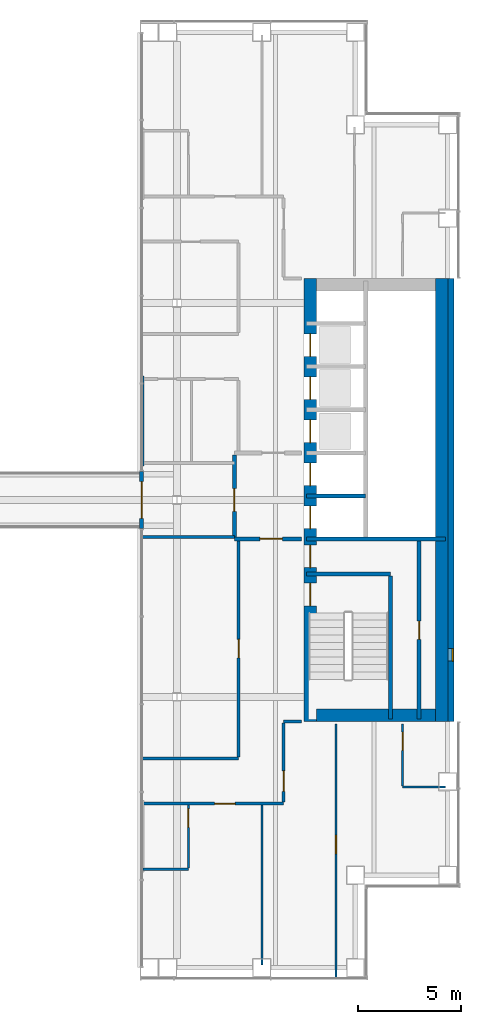
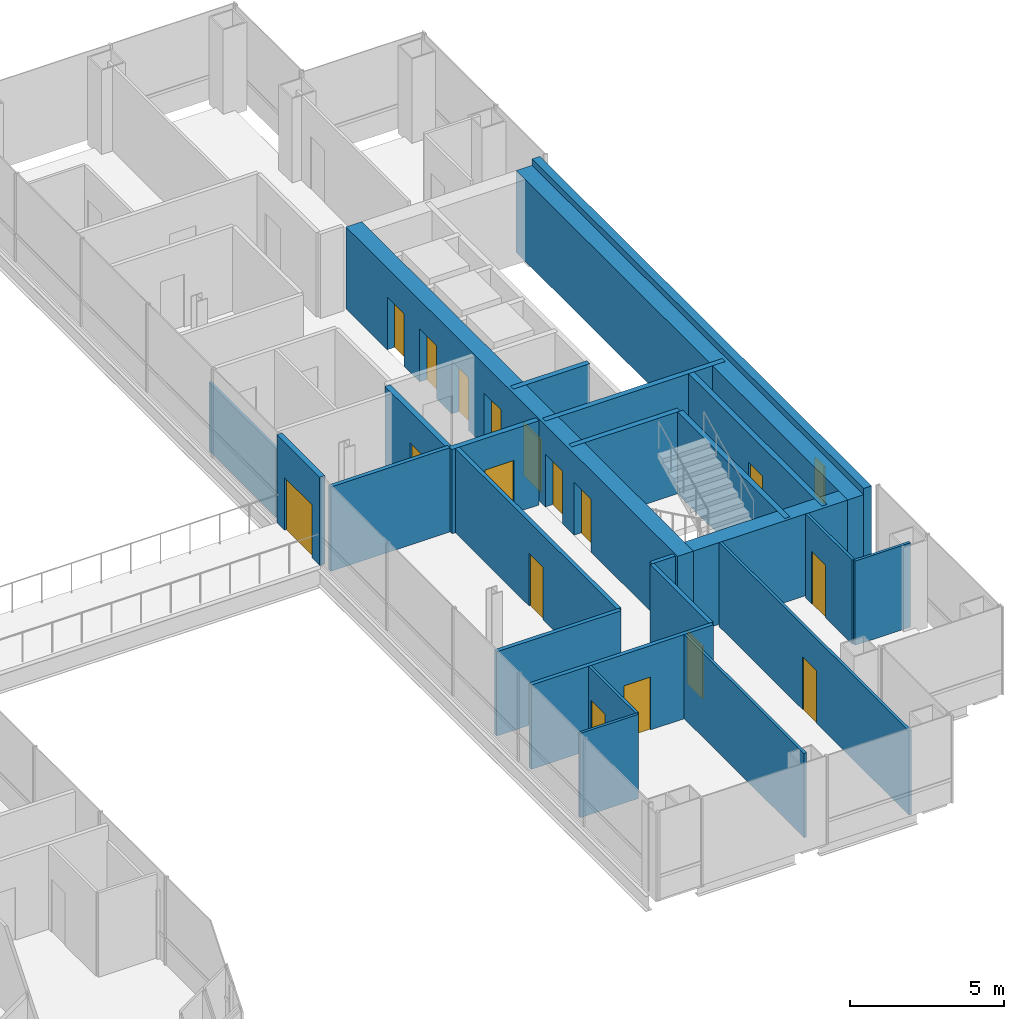
# One storey, part 12 of 16: 25 walls, 17 doors, 1 window, 18 openings.
"""IFC4 building model written with IfcOpenShell, lengths in metres."""

from ifc_helpers import new_model, si_unit, direction, frame, frame_2d, origin, place, context, subcontext, project, spatial, rectangle, extrude, material, layer, layer_set, type_object, element, fill, save


model = new_model("IFC4")

# Units and contexts
model_context = context("Model", 3, precision=1e-05, world=origin(), true_north=direction((0.0, 1.0)))
body_context = subcontext(model_context, "Body", "Model", "MODEL_VIEW")
ifc_project = project(units=[si_unit("LENGTHUNIT", "METRE"), si_unit("AREAUNIT", "SQUARE_METRE"), si_unit("VOLUMEUNIT", "CUBIC_METRE"), si_unit("PLANEANGLEUNIT", "RADIAN"), si_unit("MASSUNIT", "GRAM", prefix="KILO")], contexts=[model_context])

# Site, building, storey
site_placement = place(None, origin())
site = spatial("IfcSite", under=ifc_project, at=site_placement, CompositionType="ELEMENT")
building_placement = place(site_placement, origin())
building = spatial("IfcBuilding", under=site, at=building_placement, Name="Cobrizo Arcos Hotel Tower", CompositionType="ELEMENT")
storey_placement = place(building_placement, frame((0.0, 0.0, 127.5)))
storey = spatial("IfcBuildingStorey", under=building, at=storey_placement, Name="L32", CompositionType="ELEMENT", Elevation=127.5)

# Wall, opening, door
ifc_material_1 = material(Name="Gypsum board partition")
ifc_layer_1 = layer(ifc_material_1, 0.14990234375)
ifc_layer_set_1 = layer_set([ifc_layer_1], Name="Corridor wall EI 60 150")
wall_type_1 = type_object("IfcWallType", Name="Corridor wall EI 60 150", PredefinedType="PARTITIONING", material=ifc_layer_set_1)
wall_1_placement = place(storey_placement, frame((7.949951171875, -14.800048828125, 0.0), z_axis=(0.0, 0.0, 1.0), x_axis=(1.0, 0.0, 0.0)))
wall_1 = element("IfcWall", 1, at=wall_1_placement, inside=storey, type_object=wall_type_1, Name="Partition 006", PredefinedType="PARTITIONING", context=body_context, shape_type="SweptSolid", body=[
    extrude(rectangle(XDim=6.85009765625, YDim=0.14990234375, at=frame_2d((3.425048828125, 0.0))), origin(), (0.0, 0.0, 1.0), 3.35009765625),
])
opening_1_placement = place(wall_1_placement, frame((3.487060546875, 0.0, 0.0)))
opening_1 = element("IfcOpeningElement", 2, at=opening_1_placement, cuts=wall_1, Name="Opening GD-03", PredefinedType="OPENING", context=body_context, shape_type="SweptSolid", body=[
    extrude(rectangle(XDim=1.0, YDim=2.10009765625, at=frame_2d((0.5, 1.050048828125))), frame((0.0, 0.0869140625, 0.0), z_axis=(0.0, -1.0, 0.0), x_axis=(1.0, 0.0, 0.0)), (0.0, 0.0, 1.0), 0.173828125),
])
ifc_material_2 = material(Name="Timber door leaf", Category="wood")
door_type_1 = type_object("IfcDoorType", Name="Guest room door FD30S 1000x2100", OperationType="SINGLE_SWING_LEFT", PredefinedType="DOOR", material=ifc_material_2)
door_1_placement = place(opening_1_placement, origin())
door_1 = element("IfcDoor", 3, at=door_1_placement, inside=storey, type_object=door_type_1, Name="Door GD-03", OperationType="SINGLE_SWING_RIGHT", OverallHeight=2.10009765625, OverallWidth=1.0, PredefinedType="DOOR", context=body_context, shape_type="SweptSolid", body=[
    extrude(rectangle(XDim=1.0, YDim=2.10009765625, at=frame_2d((0.5, 1.050048828125))), frame((0.0, 0.02490234375, 0.0), z_axis=(0.0, -1.0, 0.0), x_axis=(1.0, 0.0, 0.0)), (0.0, 0.0, 1.0), 0.050048828125),
])
fill(opening_1, door_1)

# Walls
wall_2_placement = place(storey_placement, frame((7.919921875, -12.60009765625, 0.0), z_axis=(0.0, 0.0, 1.0), x_axis=(1.0, 0.0, 0.0)))
element("IfcWall", 4, at=wall_2_placement, inside=storey, type_object=wall_type_1, Name="Partition 009", PredefinedType="PARTITIONING", context=body_context, shape_type="SweptSolid", body=[
    extrude(rectangle(XDim=4.68017578125, YDim=0.14990234375, at=frame_2d((2.340087890625, 0.0))), origin(), (0.0, 0.0, 1.0), 3.35009765625),
])
wall_3_placement = place(storey_placement, frame((14.800048828125, -10.800048828125, 0.0), z_axis=(0.0, 0.0, 1.0), x_axis=(1.0, 0.0, 0.0)))
element("IfcWall", 5, at=wall_3_placement, inside=storey, type_object=wall_type_1, Name="Partition 011", PredefinedType="PARTITIONING", context=body_context, shape_type="SweptSolid", body=[
    extrude(rectangle(XDim=0.8798828125, YDim=0.14990234375, at=frame_2d((0.43994140625, 0.0))), origin(), (0.0, 0.0, 1.0), 3.35009765625),
])
wall_4_placement = place(storey_placement, frame((7.919921875, -1.800048828125, 0.0), z_axis=(0.0, 0.0, 1.0), x_axis=(1.0, 0.0, 0.0)))
element("IfcWall", 6, at=wall_4_placement, inside=storey, type_object=wall_type_1, Name="Partition 019", PredefinedType="PARTITIONING", context=body_context, shape_type="SweptSolid", body=[
    extrude(rectangle(XDim=4.47998046875, YDim=0.14990234375, at=frame_2d((2.239990234375, 0.0))), origin(), (0.0, 0.0, 1.0), 3.35009765625),
])

# Wall, opening, door
wall_5_placement = place(storey_placement, frame((12.60009765625, -12.52490234375, 0.0), z_axis=(0.0, 0.0, 1.0), x_axis=(0.0, 1.0, 0.0)))
wall_5 = element("IfcWall", 7, at=wall_5_placement, inside=storey, type_object=wall_type_1, Name="Partition 073", PredefinedType="PARTITIONING", context=body_context, shape_type="SweptSolid", body=[
    extrude(rectangle(XDim=10.52490234375, YDim=0.14990234375, at=frame_2d((5.262451171875, 0.0))), origin(), (0.0, 0.0, 1.0), 3.35009765625),
])
opening_2_placement = place(wall_5_placement, frame((4.824951171875, 0.0, 0.0)))
opening_2 = element("IfcOpeningElement", 8, at=opening_2_placement, cuts=wall_5, Name="Opening RD-10", PredefinedType="OPENING", context=body_context, shape_type="SweptSolid", body=[
    extrude(rectangle(XDim=0.89990234375, YDim=2.10009765625, at=frame_2d((0.449951171875, 1.050048828125))), frame((0.0, 0.0869140625, 0.0), z_axis=(0.0, -1.0, 0.0), x_axis=(1.0, 0.0, 0.0)), (0.0, 0.0, 1.0), 0.173828125),
])
door_type_2 = type_object("IfcDoorType", Name="Room door FD30 900x2100", OperationType="SINGLE_SWING_LEFT", PredefinedType="DOOR", material=ifc_material_2)
door_2_placement = place(opening_2_placement, origin())
door_2 = element("IfcDoor", 9, at=door_2_placement, inside=storey, type_object=door_type_2, Name="Door RD-10", OperationType="SINGLE_SWING_RIGHT", OverallHeight=2.10009765625, OverallWidth=0.89990234375, PredefinedType="DOOR", context=body_context, shape_type="SweptSolid", body=[
    extrude(rectangle(XDim=0.89990234375, YDim=2.10009765625, at=frame_2d((0.449951171875, 1.050048828125))), frame((0.0, 0.02490234375, 0.0), z_axis=(0.0, -1.0, 0.0), x_axis=(1.0, 0.0, 0.0)), (0.0, 0.0, 1.0), 0.050048828125),
])
fill(opening_2, door_2)

wall_6_placement = place(storey_placement, frame((14.800048828125, -14.72509765625, 0.0), z_axis=(0.0, 0.0, 1.0), x_axis=(0.0, 1.0, 0.0)))
wall_6 = element("IfcWall", 10, at=wall_6_placement, inside=storey, type_object=wall_type_1, Name="Partition 078", PredefinedType="PARTITIONING", context=body_context, shape_type="SweptSolid", body=[
    extrude(rectangle(XDim=3.85009765625, YDim=0.14990234375, at=frame_2d((1.925048828125, 0.0))), origin(), (0.0, 0.0, 1.0), 3.35009765625),
])
opening_3_placement = place(wall_6_placement, frame((0.52490234375, 0.0, 0.0)))
opening_3 = element("IfcOpeningElement", 11, at=opening_3_placement, cuts=wall_6, Name="Opening GD-07", PredefinedType="OPENING", context=body_context, shape_type="SweptSolid", body=[
    extrude(rectangle(XDim=1.0, YDim=2.10009765625, at=frame_2d((0.5, 1.050048828125))), frame((0.0, 0.0869140625, 0.0), z_axis=(0.0, -1.0, 0.0), x_axis=(1.0, 0.0, 0.0)), (0.0, 0.0, 1.0), 0.173828125),
])
door_3_placement = place(opening_3_placement, origin())
door_3 = element("IfcDoor", 12, at=door_3_placement, inside=storey, type_object=door_type_1, Name="Door GD-07", OperationType="SINGLE_SWING_LEFT", OverallHeight=2.10009765625, OverallWidth=1.0, PredefinedType="DOOR", context=body_context, shape_type="SweptSolid", body=[
    extrude(rectangle(XDim=1.0, YDim=2.10009765625, at=frame_2d((0.5, 1.050048828125))), frame((0.0, 0.02490234375, 0.0), z_axis=(0.0, -1.0, 0.0), x_axis=(1.0, 0.0, 0.0)), (0.0, 0.0, 1.0), 0.050048828125),
])
fill(opening_3, door_3)

# Wall, opening, window
ifc_material_3 = material(Name="Aluminium composite panel pale metal", Category="aluminium")
ifc_layer_2 = layer(ifc_material_3, 0.300048828125)
ifc_layer_set_2 = layer_set([ifc_layer_2], Name="EW-1 insulated panel wall 300")
wall_type_2 = type_object("IfcWallType", Name="EW-1 insulated panel wall 300", PredefinedType="SOLIDWALL", material=ifc_layer_set_2)
wall_7_placement = place(storey_placement, frame((22.949951171875, -10.800048828125, 0.0), z_axis=(0.0, 0.0, 1.0), x_axis=(0.0, 1.0, 0.0)))
wall_7 = element("IfcWall", 13, at=wall_7_placement, inside=storey, type_object=wall_type_2, Name="Core face wall L32 E", PredefinedType="SOLIDWALL", context=body_context, shape_type="SweptSolid", body=[
    extrude(rectangle(XDim=21.60009765625, YDim=0.300048828125, at=frame_2d((10.800048828125, 0.0))), origin(), (0.0, 0.0, 1.0), 3.5),
])
opening_4_placement = place(wall_7_placement, frame((2.949951171875, 0.0, 1.0)))
opening_4 = element("IfcOpeningElement", 14, at=opening_4_placement, cuts=wall_7, Name="Opening W-65", PredefinedType="OPENING", context=body_context, shape_type="SweptSolid", body=[
    extrude(rectangle(XDim=0.60009765625, YDim=1.5, at=frame_2d((0.300048828125, 0.75))), frame((0.0, 0.162109375, 0.0), z_axis=(0.0, -1.0, 0.0), x_axis=(1.0, 0.0, 0.0)), (0.0, 0.0, 1.0), 0.323974609375),
])
ifc_material_4 = material(Name="Aluminium 6063-T6 and clear laminated glass", Category="aluminium")
window_type = type_object("IfcWindowType", Name="W-C1 core stair slot window 600x1500", PartitioningType="SINGLE_PANEL", PredefinedType="WINDOW", material=ifc_material_4)
window_placement = place(opening_4_placement, origin())
window = element("IfcWindow", 15, at=window_placement, inside=storey, type_object=window_type, Name="Core face wall L32 E window W-65", OverallHeight=1.5, OverallWidth=0.60009765625, PartitioningType="SINGLE_PANEL", PredefinedType="WINDOW", context=body_context, shape_type="SweptSolid", body=[
    extrude(rectangle(XDim=0.60009765625, YDim=1.5, at=frame_2d((0.300048828125, 0.75))), frame((0.0, -0.06005859375, 0.0), z_axis=(0.0, -1.0, 0.0), x_axis=(1.0, 0.0, 0.0)), (0.0, 0.0, 1.0), 0.06005859375),
])
fill(opening_4, window)

# Wall, opening, door
ifc_material_5 = material(Name="Aluminium 6063-T6 anodised pale", Category="aluminium")
ifc_layer_3 = layer(ifc_material_5, 0.199951171875)
ifc_layer_set_3 = layer_set([ifc_layer_3], Name="EW-4 sky bridge door frame wall")
wall_type_3 = type_object("IfcWallType", Name="EW-4 sky bridge door frame wall", PredefinedType="SOLIDWALL", material=ifc_layer_set_3)
wall_8_placement = place(storey_placement, frame((7.875, -1.39990234375, 0.0), z_axis=(0.0, 0.0, 1.0), x_axis=(0.0, 1.0, 0.0)))
wall_8 = element("IfcWall", 16, at=wall_8_placement, inside=storey, type_object=wall_type_3, Name="Sky bridge door wall B E", PredefinedType="SOLIDWALL", context=body_context, shape_type="SweptSolid", body=[
    extrude(rectangle(XDim=2.7998046875, YDim=0.199951171875, at=frame_2d((1.39990234375, 0.0))), origin(), (0.0, 0.0, 1.0), 3.5),
])
opening_5_placement = place(wall_8_placement, frame((0.5, 0.0, 0.0)))
opening_5 = element("IfcOpeningElement", 17, at=opening_5_placement, cuts=wall_8, Name="Opening E-50", PredefinedType="OPENING", context=body_context, shape_type="SweptSolid", body=[
    extrude(rectangle(XDim=1.800048828125, YDim=2.10009765625, at=frame_2d((0.89990234375, 1.050048828125))), frame((0.0, 0.112060546875, 0.0), z_axis=(0.0, -1.0, 0.0), x_axis=(1.0, 0.0, 0.0)), (0.0, 0.0, 1.0), 0.223876953125),
])
door_type_3 = type_object("IfcDoorType", Name="D-B1 sky bridge double door 1800x2100", OperationType="DOUBLE_DOOR_DOUBLE_SWING", PredefinedType="DOOR", material=ifc_material_4)
door_4_placement = place(opening_5_placement, origin())
door_4 = element("IfcDoor", 18, at=door_4_placement, inside=storey, type_object=door_type_3, Name="Sky bridge door wall B E door E-50", OperationType="DOUBLE_DOOR_DOUBLE_SWING", OverallHeight=2.10009765625, OverallWidth=1.800048828125, PredefinedType="DOOR", context=body_context, shape_type="SweptSolid", body=[
    extrude(rectangle(XDim=1.800048828125, YDim=2.10009765625, at=frame_2d((0.89990234375, 1.050048828125))), frame((0.0, 0.02490234375, 0.0), z_axis=(0.0, -1.0, 0.0), x_axis=(1.0, 0.0, 0.0)), (0.0, 0.0, 1.0), 0.050048828125),
])
fill(opening_5, door_4)

# Walls
ifc_layer_4 = layer(ifc_material_1, 0.10009765625)
ifc_layer_set_4 = layer_set([ifc_layer_4], Name="Partition EI 30 100")
wall_type_4 = type_object("IfcWallType", Name="Partition EI 30 100", PredefinedType="PARTITIONING", material=ifc_layer_set_4)
wall_9_placement = place(storey_placement, frame((7.949951171875, -18.0, 0.0), z_axis=(0.0, 0.0, 1.0), x_axis=(1.0, 0.0, 0.0)))
element("IfcWall", 19, at=wall_9_placement, inside=storey, type_object=wall_type_4, Name="Partition 003", PredefinedType="PARTITIONING", context=body_context, shape_type="SweptSolid", body=[
    extrude(rectangle(XDim=2.199951171875, YDim=0.10009765625, at=frame_2d((1.10009765625, 0.0))), origin(), (0.0, 0.0, 1.0), 3.35009765625),
])
wall_10_placement = place(storey_placement, frame((20.60009765625, -14.0, 0.0), z_axis=(0.0, 0.0, 1.0), x_axis=(1.0, 0.0, 0.0)))
element("IfcWall", 20, at=wall_10_placement, inside=storey, type_object=wall_type_4, Name="Partition 007", PredefinedType="PARTITIONING", context=body_context, shape_type="SweptSolid", body=[
    extrude(rectangle(XDim=2.079833984375, YDim=0.10009765625, at=frame_2d((1.0400390625, 0.0))), origin(), (0.0, 0.0, 1.0), 3.35009765625),
])
wall_11_placement = place(storey_placement, frame((7.949951171875, 1.659912109375, 0.0), z_axis=(0.0, 0.0, 1.0), x_axis=(0.0, 1.0, 0.0)))
element("IfcWall", 21, at=wall_11_placement, inside=storey, type_object=wall_type_4, Name="Partition 067", PredefinedType="PARTITIONING", context=body_context, shape_type="SweptSolid", body=[
    extrude(rectangle(XDim=4.380126953125, YDim=0.10009765625, at=frame_2d((2.18994140625, 0.0))), origin(), (0.0, 0.0, 1.0), 2.73291015625),
])

# Wall, opening, door
wall_12_placement = place(storey_placement, frame((10.14990234375, -17.949951171875, 0.0), z_axis=(0.0, 0.0, 1.0), x_axis=(0.0, 1.0, 0.0)))
wall_12 = element("IfcWall", 22, at=wall_12_placement, inside=storey, type_object=wall_type_4, Name="Partition 069", PredefinedType="PARTITIONING", context=body_context, shape_type="SweptSolid", body=[
    extrude(rectangle(XDim=3.074951171875, YDim=0.10009765625, at=frame_2d((1.53759765625, 0.0))), origin(), (0.0, 0.0, 1.0), 3.35009765625),
])
opening_6_placement = place(wall_12_placement, frame((1.99609375, 0.0, 0.0)))
opening_6 = element("IfcOpeningElement", 23, at=opening_6_placement, cuts=wall_12, Name="Opening ED-04", PredefinedType="OPENING", context=body_context, shape_type="SweptSolid", body=[
    extrude(rectangle(XDim=0.89990234375, YDim=2.10009765625, at=frame_2d((0.449951171875, 1.050048828125))), frame((0.0, 0.06201171875, 0.0), z_axis=(0.0, -1.0, 0.0), x_axis=(1.0, 0.0, 0.0)), (0.0, 0.0, 1.0), 0.1240234375),
])
door_type_4 = type_object("IfcDoorType", Name="En-suite door 900x2100", OperationType="SINGLE_SWING_LEFT", PredefinedType="DOOR", material=ifc_material_2)
door_5_placement = place(opening_6_placement, origin())
door_5 = element("IfcDoor", 24, at=door_5_placement, inside=storey, type_object=door_type_4, Name="Door ED-04", OperationType="SINGLE_SWING_RIGHT", OverallHeight=2.10009765625, OverallWidth=0.89990234375, PredefinedType="DOOR", context=body_context, shape_type="SweptSolid", body=[
    extrude(rectangle(XDim=0.89990234375, YDim=2.10009765625, at=frame_2d((0.449951171875, 1.050048828125))), frame((0.0, 0.02490234375, 0.0), z_axis=(0.0, -1.0, 0.0), x_axis=(1.0, 0.0, 0.0)), (0.0, 0.0, 1.0), 0.050048828125),
])
fill(opening_6, door_5)

# Wall
wall_13_placement = place(storey_placement, frame((13.75, -22.679931640625, 0.0), z_axis=(0.0, 0.0, 1.0), x_axis=(0.0, 1.0, 0.0)))
element("IfcWall", 25, at=wall_13_placement, inside=storey, type_object=wall_type_4, Name="Partition 076", PredefinedType="PARTITIONING", context=body_context, shape_type="SweptSolid", body=[
    extrude(rectangle(XDim=7.804931640625, YDim=0.10009765625, at=frame_2d((3.90234375, 0.0))), origin(), (0.0, 0.0, 1.0), 3.35009765625),
])

# Wall, opening, door
wall_14_placement = place(storey_placement, frame((17.35009765625, -23.280029296875, 0.0), z_axis=(0.0, 0.0, 1.0), x_axis=(0.0, 1.0, 0.0)))
wall_14 = element("IfcWall", 26, at=wall_14_placement, inside=storey, type_object=wall_type_4, Name="Partition 080", PredefinedType="PARTITIONING", context=body_context, shape_type="SweptSolid", body=[
    extrude(rectangle(XDim=12.360107421875, YDim=0.10009765625, at=frame_2d((6.18017578125, 0.0))), origin(), (0.0, 0.0, 1.0), 3.35009765625),
])
opening_7_placement = place(wall_14_placement, frame((6.030029296875, 0.0, 0.0)))
opening_7 = element("IfcOpeningElement", 27, at=opening_7_placement, cuts=wall_14, Name="Opening RD-04", PredefinedType="OPENING", context=body_context, shape_type="SweptSolid", body=[
    extrude(rectangle(XDim=0.89990234375, YDim=2.10009765625, at=frame_2d((0.449951171875, 1.050048828125))), frame((0.0, 0.06201171875, 0.0), z_axis=(0.0, -1.0, 0.0), x_axis=(1.0, 0.0, 0.0)), (0.0, 0.0, 1.0), 0.1240234375),
])
door_6_placement = place(opening_7_placement, origin())
door_6 = element("IfcDoor", 28, at=door_6_placement, inside=storey, type_object=door_type_2, Name="Door RD-04", OperationType="SINGLE_SWING_RIGHT", OverallHeight=2.10009765625, OverallWidth=0.89990234375, PredefinedType="DOOR", context=body_context, shape_type="SweptSolid", body=[
    extrude(rectangle(XDim=0.89990234375, YDim=2.10009765625, at=frame_2d((0.449951171875, 1.050048828125))), frame((0.0, 0.02490234375, 0.0), z_axis=(0.0, -1.0, 0.0), x_axis=(1.0, 0.0, 0.0)), (0.0, 0.0, 1.0), 0.050048828125),
])
fill(opening_7, door_6)

wall_15_placement = place(storey_placement, frame((20.60009765625, -13.949951171875, 0.0), z_axis=(0.0, 0.0, 1.0), x_axis=(0.0, 1.0, 0.0)))
wall_15 = element("IfcWall", 29, at=wall_15_placement, inside=storey, type_object=wall_type_4, Name="Partition 084", PredefinedType="PARTITIONING", context=body_context, shape_type="SweptSolid", body=[
    extrude(rectangle(XDim=3.030029296875, YDim=0.10009765625, at=frame_2d((1.51513671875, 0.0))), origin(), (0.0, 0.0, 1.0), 3.35009765625),
])
opening_8_placement = place(wall_15_placement, frame((1.739990234375, 0.0, 0.0)))
opening_8 = element("IfcOpeningElement", 30, at=opening_8_placement, cuts=wall_15, Name="Opening ED-08", PredefinedType="OPENING", context=body_context, shape_type="SweptSolid", body=[
    extrude(rectangle(XDim=0.89990234375, YDim=2.10009765625, at=frame_2d((0.449951171875, 1.050048828125))), frame((0.0, 0.06201171875, 0.0), z_axis=(0.0, -1.0, 0.0), x_axis=(1.0, 0.0, 0.0)), (0.0, 0.0, 1.0), 0.1240234375),
])
door_7_placement = place(opening_8_placement, origin())
door_7 = element("IfcDoor", 31, at=door_7_placement, inside=storey, type_object=door_type_4, Name="Door ED-08", OperationType="SINGLE_SWING_LEFT", OverallHeight=2.10009765625, OverallWidth=0.89990234375, PredefinedType="DOOR", context=body_context, shape_type="SweptSolid", body=[
    extrude(rectangle(XDim=0.89990234375, YDim=2.10009765625, at=frame_2d((0.449951171875, 1.050048828125))), frame((0.0, 0.02490234375, 0.0), z_axis=(0.0, -1.0, 0.0), x_axis=(1.0, 0.0, 0.0)), (0.0, 0.0, 1.0), 0.050048828125),
])
fill(opening_8, door_7)

# Wall, openings, doors
ifc_material_6 = material(Name="Concrete f'c 50 MPa", Category="concrete")
ifc_layer_5 = layer(ifc_material_6, 0.60009765625)
ifc_layer_set_5 = layer_set([ifc_layer_5], Name="RC core wall 600 f'c 50")
wall_type_5 = type_object("IfcWallType", Name="RC core wall 600 f'c 50", PredefinedType="SHEAR", material=ifc_layer_set_5)
wall_16_placement = place(storey_placement, frame((16.10009765625, -10.800048828125, 0.0), z_axis=(0.0, 0.0, 1.0), x_axis=(0.0, 1.0, 0.0)))
wall_16 = element("IfcWall", 32, at=wall_16_placement, inside=storey, type_object=wall_type_5, Name="Core wall CW2, east core, inner face, L32", PredefinedType="SHEAR", context=body_context, shape_type="SweptSolid", body=[
    extrude(rectangle(XDim=21.60009765625, YDim=0.60009765625, at=frame_2d((10.800048828125, 0.0))), origin(), (0.0, 0.0, 1.0), 3.25),
])
opening_9_placement = place(wall_16_placement, frame((9.39990234375, 0.0, 0.0)))
opening_9 = element("IfcOpeningElement", 33, at=opening_9_placement, cuts=wall_16, Name="Opening LD-06", PredefinedType="OPENING", context=body_context, shape_type="SweptSolid", body=[
    extrude(rectangle(XDim=1.10009765625, YDim=2.10009765625, at=frame_2d((0.550048828125, 1.050048828125))), frame((0.0, 0.31201171875, 0.0), z_axis=(0.0, -1.0, 0.0), x_axis=(1.0, 0.0, 0.0)), (0.0, 0.0, 1.0), 0.6240234375),
])
opening_10_placement = place(wall_16_placement, frame((11.5, 0.0, 0.0)))
opening_10 = element("IfcOpeningElement", 34, at=opening_10_placement, cuts=wall_16, Name="Opening LD-07", PredefinedType="OPENING", context=body_context, shape_type="SweptSolid", body=[
    extrude(rectangle(XDim=1.10009765625, YDim=2.10009765625, at=frame_2d((0.550048828125, 1.050048828125))), frame((0.0, 0.31201171875, 0.0), z_axis=(0.0, -1.0, 0.0), x_axis=(1.0, 0.0, 0.0)), (0.0, 0.0, 1.0), 0.6240234375),
])
opening_11_placement = place(wall_16_placement, frame((13.60009765625, 0.0, 0.0)))
opening_11 = element("IfcOpeningElement", 35, at=opening_11_placement, cuts=wall_16, Name="Opening LD-08", PredefinedType="OPENING", context=body_context, shape_type="SweptSolid", body=[
    extrude(rectangle(XDim=1.10009765625, YDim=2.10009765625, at=frame_2d((0.550048828125, 1.050048828125))), frame((0.0, 0.31201171875, 0.0), z_axis=(0.0, -1.0, 0.0), x_axis=(1.0, 0.0, 0.0)), (0.0, 0.0, 1.0), 0.6240234375),
])
opening_12_placement = place(wall_16_placement, frame((15.699951171875, 0.0, 0.0)))
opening_12 = element("IfcOpeningElement", 36, at=opening_12_placement, cuts=wall_16, Name="Opening LD-09", PredefinedType="OPENING", context=body_context, shape_type="SweptSolid", body=[
    extrude(rectangle(XDim=1.10009765625, YDim=2.10009765625, at=frame_2d((0.550048828125, 1.050048828125))), frame((0.0, 0.31201171875, 0.0), z_axis=(0.0, -1.0, 0.0), x_axis=(1.0, 0.0, 0.0)), (0.0, 0.0, 1.0), 0.6240234375),
])
opening_13_placement = place(wall_16_placement, frame((17.800048828125, 0.0, 0.0)))
opening_13 = element("IfcOpeningElement", 37, at=opening_13_placement, cuts=wall_16, Name="Opening LD-10", PredefinedType="OPENING", context=body_context, shape_type="SweptSolid", body=[
    extrude(rectangle(XDim=1.10009765625, YDim=2.10009765625, at=frame_2d((0.550048828125, 1.050048828125))), frame((0.0, 0.31201171875, 0.0), z_axis=(0.0, -1.0, 0.0), x_axis=(1.0, 0.0, 0.0)), (0.0, 0.0, 1.0), 0.6240234375),
])
opening_14_placement = place(wall_16_placement, frame((5.64208984375, 0.0, 0.0)))
opening_14 = element("IfcOpeningElement", 38, at=opening_14_placement, cuts=wall_16, Name="Opening SD-02", PredefinedType="OPENING", context=body_context, shape_type="SweptSolid", body=[
    extrude(rectangle(XDim=1.10009765625, YDim=2.10009765625, at=frame_2d((0.550048828125, 1.050048828125))), frame((0.0, 0.31201171875, 0.0), z_axis=(0.0, -1.0, 0.0), x_axis=(1.0, 0.0, 0.0)), (0.0, 0.0, 1.0), 0.6240234375),
])
opening_15_placement = place(wall_16_placement, frame((7.5, 0.0, 0.0)))
opening_15 = element("IfcOpeningElement", 39, at=opening_15_placement, cuts=wall_16, Name="Opening FD-05", PredefinedType="OPENING", context=body_context, shape_type="SweptSolid", body=[
    extrude(rectangle(XDim=1.10009765625, YDim=2.10009765625, at=frame_2d((0.550048828125, 1.050048828125))), frame((0.0, 0.31201171875, 0.0), z_axis=(0.0, -1.0, 0.0), x_axis=(1.0, 0.0, 0.0)), (0.0, 0.0, 1.0), 0.6240234375),
])
ifc_material_7 = material(Name="Steel door leaf", Category="steel")
door_type_5 = type_object("IfcDoorType", Name="Fire door FD60 1100x2100", OperationType="SINGLE_SWING_LEFT", PredefinedType="DOOR", material=ifc_material_7)
door_8_placement = place(opening_15_placement, origin())
door_8 = element("IfcDoor", 40, at=door_8_placement, inside=storey, type_object=door_type_5, Name="Door FD-05", OperationType="SINGLE_SWING_RIGHT", OverallHeight=2.10009765625, OverallWidth=1.10009765625, PredefinedType="DOOR", context=body_context, shape_type="SweptSolid", body=[
    extrude(rectangle(XDim=1.10009765625, YDim=2.10009765625, at=frame_2d((0.550048828125, 1.050048828125))), frame((0.0, 0.02490234375, 0.0), z_axis=(0.0, -1.0, 0.0), x_axis=(1.0, 0.0, 0.0)), (0.0, 0.0, 1.0), 0.050048828125),
])
fill(opening_15, door_8)
door_type_6 = type_object("IfcDoorType", Name="Lift landing door 1100x2100", OperationType="SLIDING_TO_LEFT", PredefinedType="DOOR", material=ifc_material_7)
door_9_placement = place(opening_9_placement, origin())
door_9 = element("IfcDoor", 41, at=door_9_placement, inside=storey, type_object=door_type_6, Name="Lift landing door LD-06", OperationType="SLIDING_TO_LEFT", OverallHeight=2.10009765625, OverallWidth=1.10009765625, PredefinedType="DOOR", context=body_context, shape_type="SweptSolid", body=[
    extrude(rectangle(XDim=1.10009765625, YDim=2.10009765625, at=frame_2d((0.550048828125, 1.050048828125))), frame((0.0, 0.02490234375, 0.0), z_axis=(0.0, -1.0, 0.0), x_axis=(1.0, 0.0, 0.0)), (0.0, 0.0, 1.0), 0.050048828125),
])
fill(opening_9, door_9)
door_10_placement = place(opening_10_placement, origin())
door_10 = element("IfcDoor", 42, at=door_10_placement, inside=storey, type_object=door_type_6, Name="Lift landing door LD-07", OperationType="SLIDING_TO_LEFT", OverallHeight=2.10009765625, OverallWidth=1.10009765625, PredefinedType="DOOR", context=body_context, shape_type="SweptSolid", body=[
    extrude(rectangle(XDim=1.10009765625, YDim=2.10009765625, at=frame_2d((0.550048828125, 1.050048828125))), frame((0.0, 0.02490234375, 0.0), z_axis=(0.0, -1.0, 0.0), x_axis=(1.0, 0.0, 0.0)), (0.0, 0.0, 1.0), 0.050048828125),
])
fill(opening_10, door_10)
door_11_placement = place(opening_11_placement, origin())
door_11 = element("IfcDoor", 43, at=door_11_placement, inside=storey, type_object=door_type_6, Name="Lift landing door LD-08", OperationType="SLIDING_TO_LEFT", OverallHeight=2.10009765625, OverallWidth=1.10009765625, PredefinedType="DOOR", context=body_context, shape_type="SweptSolid", body=[
    extrude(rectangle(XDim=1.10009765625, YDim=2.10009765625, at=frame_2d((0.550048828125, 1.050048828125))), frame((0.0, 0.02490234375, 0.0), z_axis=(0.0, -1.0, 0.0), x_axis=(1.0, 0.0, 0.0)), (0.0, 0.0, 1.0), 0.050048828125),
])
fill(opening_11, door_11)
door_12_placement = place(opening_12_placement, origin())
door_12 = element("IfcDoor", 44, at=door_12_placement, inside=storey, type_object=door_type_6, Name="Lift landing door LD-09", OperationType="SLIDING_TO_LEFT", OverallHeight=2.10009765625, OverallWidth=1.10009765625, PredefinedType="DOOR", context=body_context, shape_type="SweptSolid", body=[
    extrude(rectangle(XDim=1.10009765625, YDim=2.10009765625, at=frame_2d((0.550048828125, 1.050048828125))), frame((0.0, 0.02490234375, 0.0), z_axis=(0.0, -1.0, 0.0), x_axis=(1.0, 0.0, 0.0)), (0.0, 0.0, 1.0), 0.050048828125),
])
fill(opening_12, door_12)
door_13_placement = place(opening_13_placement, origin())
door_13 = element("IfcDoor", 45, at=door_13_placement, inside=storey, type_object=door_type_6, Name="Lift landing door LD-10", OperationType="SLIDING_TO_LEFT", OverallHeight=2.10009765625, OverallWidth=1.10009765625, PredefinedType="DOOR", context=body_context, shape_type="SweptSolid", body=[
    extrude(rectangle(XDim=1.10009765625, YDim=2.10009765625, at=frame_2d((0.550048828125, 1.050048828125))), frame((0.0, 0.02490234375, 0.0), z_axis=(0.0, -1.0, 0.0), x_axis=(1.0, 0.0, 0.0)), (0.0, 0.0, 1.0), 0.050048828125),
])
fill(opening_13, door_13)
door_type_7 = type_object("IfcDoorType", Name="Stair door FD60S 1100x2100", OperationType="SINGLE_SWING_LEFT", PredefinedType="DOOR", material=ifc_material_7)
door_14_placement = place(opening_14_placement, origin())
door_14 = element("IfcDoor", 46, at=door_14_placement, inside=storey, type_object=door_type_7, Name="Door SD-02", OperationType="SINGLE_SWING_LEFT", OverallHeight=2.10009765625, OverallWidth=1.10009765625, PredefinedType="DOOR", context=body_context, shape_type="SweptSolid", body=[
    extrude(rectangle(XDim=1.10009765625, YDim=2.10009765625, at=frame_2d((0.550048828125, 1.050048828125))), frame((0.0, 0.02490234375, 0.0), z_axis=(0.0, -1.0, 0.0), x_axis=(1.0, 0.0, 0.0)), (0.0, 0.0, 1.0), 0.050048828125),
])
fill(opening_14, door_14)

# Walls
wall_17_placement = place(storey_placement, frame((22.5, -10.800048828125, 0.0), z_axis=(0.0, 0.0, 1.0), x_axis=(0.0, 1.0, 0.0)))
element("IfcWall", 47, at=wall_17_placement, inside=storey, type_object=wall_type_5, Name="Core wall CW2, east core, outer face, L32", PredefinedType="SHEAR", context=body_context, shape_type="SweptSolid", body=[
    extrude(rectangle(XDim=21.60009765625, YDim=0.60009765625, at=frame_2d((10.800048828125, 0.0))), origin(), (0.0, 0.0, 1.0), 3.25),
])
wall_18_placement = place(storey_placement, frame((16.39990234375, -10.5, 0.0), z_axis=(0.0, 0.0, 1.0), x_axis=(1.0, 0.0, 0.0)))
element("IfcWall", 48, at=wall_18_placement, inside=storey, type_object=wall_type_5, Name="Core wall CW2, east core, south end, L32", PredefinedType="SHEAR", context=body_context, shape_type="SweptSolid", body=[
    extrude(rectangle(XDim=5.800048828125, YDim=0.60009765625, at=frame_2d((2.89990234375, 0.0))), origin(), (0.0, 0.0, 1.0), 3.25),
])

# Wall, opening, door
ifc_layer_6 = layer(ifc_material_1, 0.199951171875)
ifc_layer_set_6 = layer_set([ifc_layer_6], Name="Shaft wall EI 120 200")
wall_type_6 = type_object("IfcWallType", Name="Shaft wall EI 120 200", PredefinedType="PARTITIONING", material=ifc_layer_set_6)
wall_19_placement = place(storey_placement, frame((12.39990234375, -1.89990234375, 0.0), z_axis=(0.0, 0.0, 1.0), x_axis=(1.0, 0.0, 0.0)))
wall_19 = element("IfcWall", 49, at=wall_19_placement, inside=storey, type_object=wall_type_6, Name="Partition 016", PredefinedType="PARTITIONING", context=body_context, shape_type="SweptSolid", body=[
    extrude(rectangle(XDim=3.280029296875, YDim=0.199951171875, at=frame_2d((1.64013671875, 0.0))), origin(), (0.0, 0.0, 1.0), 3.35009765625),
])
opening_16_placement = place(wall_19_placement, frame((1.239990234375, 0.0, 0.0)))
opening_16 = element("IfcOpeningElement", 50, at=opening_16_placement, cuts=wall_19, Name="Opening FD-07", PredefinedType="OPENING", context=body_context, shape_type="SweptSolid", body=[
    extrude(rectangle(XDim=1.10009765625, YDim=2.10009765625, at=frame_2d((0.550048828125, 1.050048828125))), frame((0.0, 0.112060546875, 0.0), z_axis=(0.0, -1.0, 0.0), x_axis=(1.0, 0.0, 0.0)), (0.0, 0.0, 1.0), 0.223876953125),
])
door_15_placement = place(opening_16_placement, origin())
door_15 = element("IfcDoor", 51, at=door_15_placement, inside=storey, type_object=door_type_5, Name="Door FD-07", OperationType="SINGLE_SWING_RIGHT", OverallHeight=2.10009765625, OverallWidth=1.10009765625, PredefinedType="DOOR", context=body_context, shape_type="SweptSolid", body=[
    extrude(rectangle(XDim=1.10009765625, YDim=2.10009765625, at=frame_2d((0.550048828125, 1.050048828125))), frame((0.0, 0.02490234375, 0.0), z_axis=(0.0, -1.0, 0.0), x_axis=(1.0, 0.0, 0.0)), (0.0, 0.0, 1.0), 0.050048828125),
])
fill(opening_16, door_15)

# Walls
wall_20_placement = place(storey_placement, frame((15.919921875, -1.89990234375, 0.0), z_axis=(0.0, 0.0, 1.0), x_axis=(1.0, 0.0, 0.0)))
element("IfcWall", 52, at=wall_20_placement, inside=storey, type_object=wall_type_6, Name="Partition 017", PredefinedType="PARTITIONING", context=body_context, shape_type="SweptSolid", body=[
    extrude(rectangle(XDim=6.760009765625, YDim=0.199951171875, at=frame_2d((3.3798828125, 0.0))), origin(), (0.0, 0.0, 1.0), 3.25),
])
wall_21_placement = place(storey_placement, frame((15.919921875, 0.199951171875, 0.0), z_axis=(0.0, 0.0, 1.0), x_axis=(1.0, 0.0, 0.0)))
element("IfcWall", 53, at=wall_21_placement, inside=storey, type_object=wall_type_6, Name="Partition 021", PredefinedType="PARTITIONING", context=body_context, shape_type="SweptSolid", body=[
    extrude(rectangle(XDim=2.880126953125, YDim=0.199951171875, at=frame_2d((1.43994140625, 0.0))), origin(), (0.0, 0.0, 1.0), 3.25),
])

# Wall, opening, door
wall_22_placement = place(storey_placement, frame((12.39990234375, -1.800048828125, 0.0), z_axis=(0.0, 0.0, 1.0), x_axis=(0.0, 1.0, 0.0)))
wall_22 = element("IfcWall", 54, at=wall_22_placement, inside=storey, type_object=wall_type_6, Name="Partition 072", PredefinedType="PARTITIONING", context=body_context, shape_type="SweptSolid", body=[
    extrude(rectangle(XDim=4.0, YDim=0.199951171875, at=frame_2d((2.0, 0.0))), origin(), (0.0, 0.0, 1.0), 3.35009765625),
])
opening_17_placement = place(wall_22_placement, frame((1.25, 0.0, 0.0)))
opening_17 = element("IfcOpeningElement", 55, at=opening_17_placement, cuts=wall_22, Name="Opening FD-06", PredefinedType="OPENING", context=body_context, shape_type="SweptSolid", body=[
    extrude(rectangle(XDim=1.10009765625, YDim=2.10009765625, at=frame_2d((0.550048828125, 1.050048828125))), frame((0.0, 0.112060546875, 0.0), z_axis=(0.0, -1.0, 0.0), x_axis=(1.0, 0.0, 0.0)), (0.0, 0.0, 1.0), 0.223876953125),
])
door_16_placement = place(opening_17_placement, origin())
door_16 = element("IfcDoor", 56, at=door_16_placement, inside=storey, type_object=door_type_5, Name="Door FD-06", OperationType="SINGLE_SWING_RIGHT", OverallHeight=2.10009765625, OverallWidth=1.10009765625, PredefinedType="DOOR", context=body_context, shape_type="SweptSolid", body=[
    extrude(rectangle(XDim=1.10009765625, YDim=2.10009765625, at=frame_2d((0.550048828125, 1.050048828125))), frame((0.0, 0.02490234375, 0.0), z_axis=(0.0, -1.0, 0.0), x_axis=(1.0, 0.0, 0.0)), (0.0, 0.0, 1.0), 0.050048828125),
])
fill(opening_17, door_16)

wall_23_placement = place(storey_placement, frame((21.39990234375, -10.679931640625, 0.0), z_axis=(0.0, 0.0, 1.0), x_axis=(0.0, 1.0, 0.0)))
wall_23 = element("IfcWall", 57, at=wall_23_placement, inside=storey, type_object=wall_type_6, Name="Partition 086", PredefinedType="PARTITIONING", context=body_context, shape_type="SweptSolid", body=[
    extrude(rectangle(XDim=8.679931640625, YDim=0.199951171875, at=frame_2d((4.33984375, 0.0))), origin(), (0.0, 0.0, 1.0), 3.25),
])
opening_18_placement = place(wall_23_placement, frame((3.8798828125, 0.0, 0.0)))
opening_18 = element("IfcOpeningElement", 58, at=opening_18_placement, cuts=wall_23, Name="Opening RD-01", PredefinedType="OPENING", context=body_context, shape_type="SweptSolid", body=[
    extrude(rectangle(XDim=0.89990234375, YDim=2.10009765625, at=frame_2d((0.449951171875, 1.050048828125))), frame((0.0, 0.112060546875, 0.0), z_axis=(0.0, -1.0, 0.0), x_axis=(1.0, 0.0, 0.0)), (0.0, 0.0, 1.0), 0.223876953125),
])
door_17_placement = place(opening_18_placement, origin())
door_17 = element("IfcDoor", 59, at=door_17_placement, inside=storey, type_object=door_type_2, Name="Door RD-01", OperationType="SINGLE_SWING_RIGHT", OverallHeight=2.10009765625, OverallWidth=0.89990234375, PredefinedType="DOOR", context=body_context, shape_type="SweptSolid", body=[
    extrude(rectangle(XDim=0.89990234375, YDim=2.10009765625, at=frame_2d((0.449951171875, 1.050048828125))), frame((0.0, 0.02490234375, 0.0), z_axis=(0.0, -1.0, 0.0), x_axis=(1.0, 0.0, 0.0)), (0.0, 0.0, 1.0), 0.050048828125),
])
fill(opening_18, door_17)

# Walls
ifc_material_8 = material(Name="Concrete f'c 40 MPa", Category="concrete")
ifc_layer_7 = layer(ifc_material_8, 0.199951171875)
ifc_layer_set_7 = layer_set([ifc_layer_7], Name="Stair shaft wall 200")
wall_type_7 = type_object("IfcWallType", Name="Stair shaft wall 200", PredefinedType="SHEAR", material=ifc_layer_set_7)
wall_24_placement = place(storey_placement, frame((15.919921875, -3.60009765625, 0.0), z_axis=(0.0, 0.0, 1.0), x_axis=(1.0, 0.0, 0.0)))
element("IfcWall", 60, at=wall_24_placement, inside=storey, type_object=wall_type_7, Name="Stair shaft wall E", PredefinedType="SHEAR", context=body_context, shape_type="SweptSolid", body=[
    extrude(rectangle(XDim=4.080078125, YDim=0.199951171875, at=frame_2d((2.0400390625, 0.0))), origin(), (0.0, 0.0, 1.0), 3.25),
])
wall_25_placement = place(storey_placement, frame((20.0, -10.679931640625, 0.0), z_axis=(0.0, 0.0, 1.0), x_axis=(0.0, 1.0, 0.0)))
element("IfcWall", 61, at=wall_25_placement, inside=storey, type_object=wall_type_7, Name="Stair shaft wall E", PredefinedType="SHEAR", context=body_context, shape_type="SweptSolid", body=[
    extrude(rectangle(XDim=6.97998046875, YDim=0.199951171875, at=frame_2d((3.489990234375, 0.0))), origin(), (0.0, 0.0, 1.0), 3.25),
])

save(model, "model.ifc")
